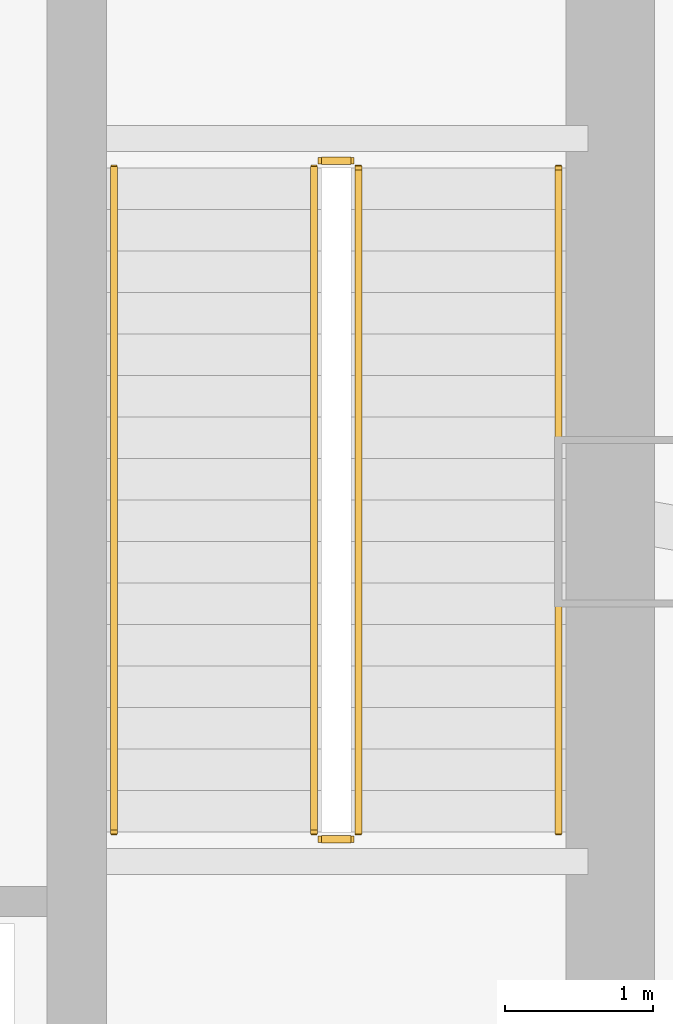
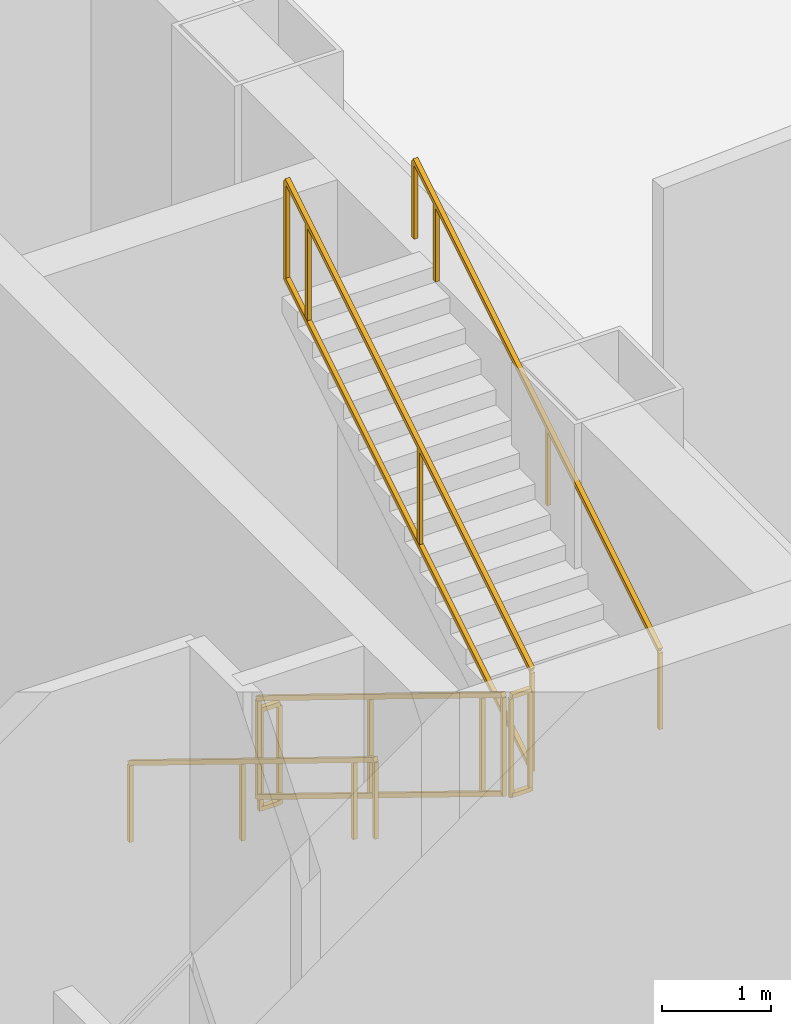
# One storey, part 33 of 36: 6 railings.
"""IFC4 building model written with IfcOpenShell, lengths in metres."""

from ifc_helpers import new_model, si_unit, direction, frame, origin, origin_2d, place, context, subcontext, project, spatial, rectangle, extrude, material, type_object, element, save


model = new_model("IFC4")

# Units and contexts
model_context = context("Model", 3, precision=1e-05, world=origin(), true_north=direction((0.0, 1.0)))
body_context = subcontext(model_context, "Body", "Model", "MODEL_VIEW")
ifc_project = project(units=[si_unit("LENGTHUNIT", "METRE"), si_unit("AREAUNIT", "SQUARE_METRE"), si_unit("VOLUMEUNIT", "CUBIC_METRE"), si_unit("PLANEANGLEUNIT", "RADIAN"), si_unit("MASSUNIT", "GRAM", prefix="KILO"), si_unit("THERMODYNAMICTEMPERATUREUNIT", "KELVIN"), si_unit("POWERUNIT", "WATT")], contexts=[model_context])

# Site, building, storey
site_placement = place(None, origin())
site = spatial("IfcSite", under=ifc_project, at=site_placement, CompositionType="ELEMENT")
building_placement = place(site_placement, origin())
building = spatial("IfcBuilding", under=site, at=building_placement, Name="Yunzhuo Pagoda Commons", CompositionType="ELEMENT")
storey_placement = place(building_placement, frame((0.0, 0.0, 119.179931640625)))
storey = spatial("IfcBuildingStorey", under=building, at=storey_placement, Name="L30", CompositionType="ELEMENT", Elevation=119.179931640625)

# Railings
ifc_material = material(Name="Anodized aluminium 6063-T6", Category="aluminium")
railing_type_1 = type_object("IfcRailingType", Name="GR-ST2 Stair Well Guardrail 1160", PredefinedType="GUARDRAIL", material=ifc_material)
railing_1_placement = place(storey_placement, frame((58.199951171875, 33.89990234375, 0.172119140625)))
element("IfcRailing", 1, at=railing_1_placement, inside=storey, type_object=railing_type_1, Name="L30 ST2 stair guard 1", PredefinedType="GUARDRAIL", context=body_context, shape_type="SweptSolid", body=[
    extrude(rectangle(XDim=0.048095703125, YDim=0.048095703125, at=origin_2d()), frame((0.0, 0.0, 1.1259765625), z_axis=(0.0, -0.851996104429, 0.523548123899), x_axis=(1.0, 0.0, 0.0)), (0.0, 0.0, 1.0), 5.25830078125),
    extrude(rectangle(XDim=0.048095703125, YDim=0.048095703125, at=origin_2d()), frame((0.0, 0.0, 0.02392578125), z_axis=(0.0, -0.851996104429, 0.523548123899), x_axis=(1.0, 0.0, 0.0)), (0.0, 0.0, 1.0), 5.25830078125),
    extrude(rectangle(XDim=0.0419921875, YDim=0.0419921875, at=origin_2d()), origin(), (0.0, 0.0, 1.0), 1.101806640625),
    extrude(rectangle(XDim=0.0419921875, YDim=0.0419921875, at=origin_2d()), frame((0.0, -2.044677734375, 1.256591796875)), (0.0, 0.0, 1.0), 1.101806640625),
    extrude(rectangle(XDim=0.0419921875, YDim=0.0419921875, at=origin_2d()), frame((0.0, -4.089599609375, 2.512939453125)), (0.0, 0.0, 1.0), 1.101806640625),
    extrude(rectangle(XDim=0.0419921875, YDim=0.0419921875, at=origin_2d()), frame((0.0, -4.47998046875, 2.7529296875)), (0.0, 0.0, 1.0), 1.101806640625),
])
railing_2_placement = place(storey_placement, frame((58.25, 29.3701171875, 2.925048828125)))
element("IfcRailing", 2, at=railing_2_placement, inside=storey, type_object=railing_type_1, Name="L30 ST2 stair guard 2", PredefinedType="GUARDRAIL", context=body_context, shape_type="SweptSolid", body=[
    extrude(rectangle(XDim=0.048095703125, YDim=0.048095703125, at=origin_2d()), frame((0.0, 0.0, 1.1259765625), z_axis=(1.0, 0.0, 0.0), x_axis=(0.0, 1.0, 0.0)), (0.0, 0.0, 1.0), 0.199951171875),
    extrude(rectangle(XDim=0.048095703125, YDim=0.048095703125, at=origin_2d()), frame((0.0, 0.0, 0.02392578125), z_axis=(1.0, 0.0, 0.0), x_axis=(0.0, 1.0, 0.0)), (0.0, 0.0, 1.0), 0.199951171875),
    extrude(rectangle(XDim=0.0419921875, YDim=0.0419921875, at=origin_2d()), origin(), (0.0, 0.0, 1.0), 1.101806640625),
    extrude(rectangle(XDim=0.0419921875, YDim=0.0419921875, at=origin_2d()), frame((0.199951171875, 0.0, 0.0)), (0.0, 0.0, 1.0), 1.101806640625),
])
railing_3_placement = place(storey_placement, frame((58.5, 29.419921875, 3.09716796875)))
element("IfcRailing", 3, at=railing_3_placement, inside=storey, type_object=railing_type_1, Name="L30 ST2 stair guard 3", PredefinedType="GUARDRAIL", context=body_context, shape_type="SweptSolid", body=[
    extrude(rectangle(XDim=0.048095703125, YDim=0.048095703125, at=origin_2d()), frame((0.0, 0.0, 1.1259765625), z_axis=(0.0, 0.851996104429, 0.523548123899), x_axis=(-1.0, 0.0, 0.0)), (0.0, 0.0, 1.0), 5.25830078125),
    extrude(rectangle(XDim=0.048095703125, YDim=0.048095703125, at=origin_2d()), frame((0.0, 0.0, 0.02392578125), z_axis=(0.0, 0.851996104429, 0.523548123899), x_axis=(-1.0, 0.0, 0.0)), (0.0, 0.0, 1.0), 5.25830078125),
    extrude(rectangle(XDim=0.0419921875, YDim=0.0419921875, at=origin_2d()), origin(), (0.0, 0.0, 1.0), 1.101806640625),
    extrude(rectangle(XDim=0.0419921875, YDim=0.0419921875, at=origin_2d()), frame((0.0, 2.044677734375, 1.256591796875)), (0.0, 0.0, 1.0), 1.101806640625),
    extrude(rectangle(XDim=0.0419921875, YDim=0.0419921875, at=origin_2d()), frame((0.0, 4.089599609375, 2.512939453125)), (0.0, 0.0, 1.0), 1.101806640625),
    extrude(rectangle(XDim=0.0419921875, YDim=0.0419921875, at=origin_2d()), frame((0.0, 4.47998046875, 2.7529296875)), (0.0, 0.0, 1.0), 1.101806640625),
])
railing_4_placement = place(storey_placement, frame((58.25, 33.949951171875, 0.0)))
element("IfcRailing", 4, at=railing_4_placement, inside=storey, type_object=railing_type_1, Name="L30 ST2 stair guard 4", PredefinedType="GUARDRAIL", context=body_context, shape_type="SweptSolid", body=[
    extrude(rectangle(XDim=0.048095703125, YDim=0.048095703125, at=origin_2d()), frame((0.0, 0.0, 1.1259765625), z_axis=(1.0, 0.0, 0.0), x_axis=(0.0, 1.0, 0.0)), (0.0, 0.0, 1.0), 0.199951171875),
    extrude(rectangle(XDim=0.048095703125, YDim=0.048095703125, at=origin_2d()), frame((0.0, 0.0, 0.02392578125), z_axis=(1.0, 0.0, 0.0), x_axis=(0.0, 1.0, 0.0)), (0.0, 0.0, 1.0), 0.199951171875),
    extrude(rectangle(XDim=0.0419921875, YDim=0.0419921875, at=origin_2d()), origin(), (0.0, 0.0, 1.0), 1.101806640625),
    extrude(rectangle(XDim=0.0419921875, YDim=0.0419921875, at=origin_2d()), frame((0.199951171875, 0.0, 0.0)), (0.0, 0.0, 1.0), 1.101806640625),
])
railing_type_2 = type_object("IfcRailingType", Name="HR-ST2 Stair Handrail 900", PredefinedType="HANDRAIL", material=ifc_material)
railing_5_placement = place(storey_placement, frame((56.85009765625, 33.89990234375, 0.172119140625)))
element("IfcRailing", 5, at=railing_5_placement, inside=storey, type_object=railing_type_2, Name="L30 ST2 stair handrail 1", PredefinedType="HANDRAIL", context=body_context, shape_type="SweptSolid", body=[
    extrude(rectangle(XDim=0.048095703125, YDim=0.048095703125, at=origin_2d()), frame((0.0, 0.0, 0.8759765625), z_axis=(0.0, -0.851996104429, 0.523548123899), x_axis=(1.0, 0.0, 0.0)), (0.0, 0.0, 1.0), 5.25830078125),
    extrude(rectangle(XDim=0.0419921875, YDim=0.0419921875, at=origin_2d()), origin(), (0.0, 0.0, 1.0), 0.851806640625),
    extrude(rectangle(XDim=0.0419921875, YDim=0.0419921875, at=origin_2d()), frame((0.0, -2.044677734375, 1.256591796875)), (0.0, 0.0, 1.0), 0.851806640625),
    extrude(rectangle(XDim=0.0419921875, YDim=0.0419921875, at=origin_2d()), frame((0.0, -4.089599609375, 2.512939453125)), (0.0, 0.0, 1.0), 0.851806640625),
    extrude(rectangle(XDim=0.0419921875, YDim=0.0419921875, at=origin_2d()), frame((0.0, -4.47998046875, 2.7529296875)), (0.0, 0.0, 1.0), 0.851806640625),
])
railing_6_placement = place(storey_placement, frame((59.85009765625, 29.419921875, 3.09716796875)))
element("IfcRailing", 6, at=railing_6_placement, inside=storey, type_object=railing_type_2, Name="L30 ST2 stair handrail 2", PredefinedType="HANDRAIL", context=body_context, shape_type="SweptSolid", body=[
    extrude(rectangle(XDim=0.048095703125, YDim=0.048095703125, at=origin_2d()), frame((0.0, 0.0, 0.8759765625), z_axis=(0.0, 0.851996104429, 0.523548123899), x_axis=(-1.0, 0.0, 0.0)), (0.0, 0.0, 1.0), 5.25830078125),
    extrude(rectangle(XDim=0.0419921875, YDim=0.0419921875, at=origin_2d()), origin(), (0.0, 0.0, 1.0), 0.851806640625),
    extrude(rectangle(XDim=0.0419921875, YDim=0.0419921875, at=origin_2d()), frame((0.0, 2.044677734375, 1.256591796875)), (0.0, 0.0, 1.0), 0.851806640625),
    extrude(rectangle(XDim=0.0419921875, YDim=0.0419921875, at=origin_2d()), frame((0.0, 4.089599609375, 2.512939453125)), (0.0, 0.0, 1.0), 0.851806640625),
    extrude(rectangle(XDim=0.0419921875, YDim=0.0419921875, at=origin_2d()), frame((0.0, 4.47998046875, 2.7529296875)), (0.0, 0.0, 1.0), 0.851806640625),
])

save(model, "model.ifc")
